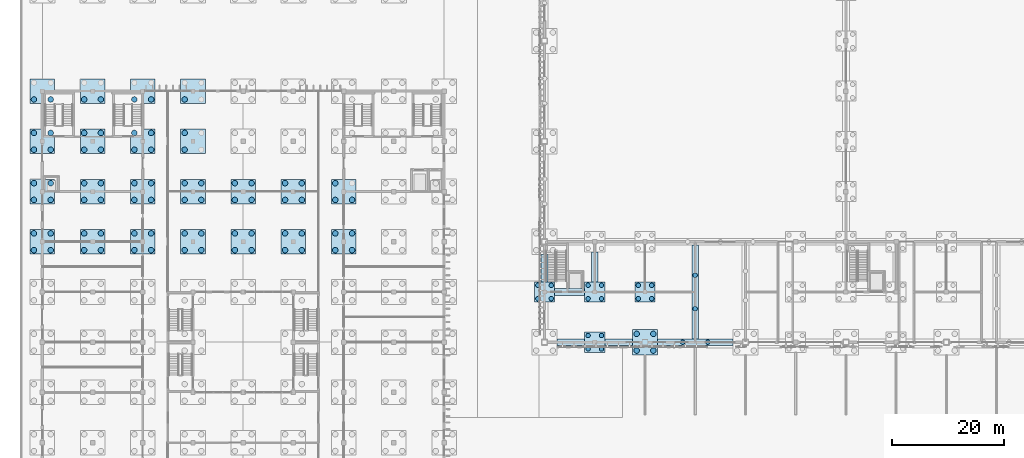
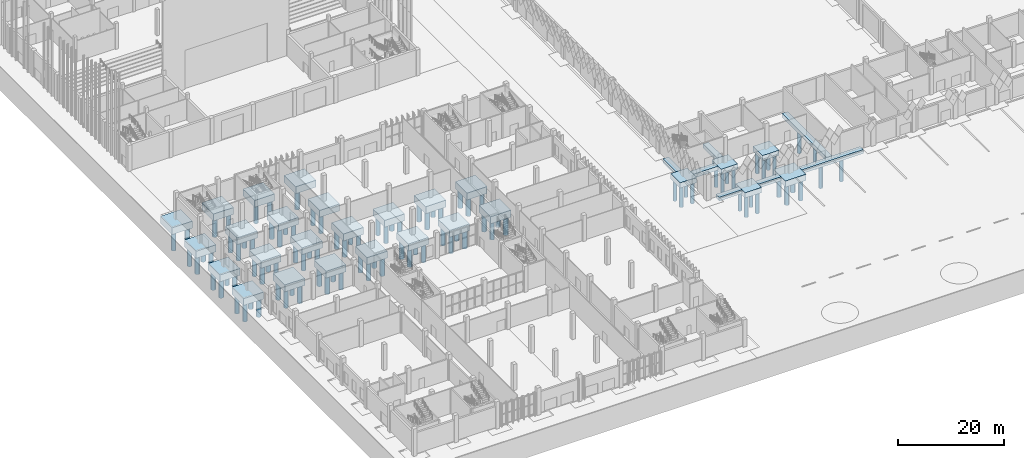
# One storey, part 3 of 198: 100 piles, 34 footings.
"""IFC4 building model written with IfcOpenShell, lengths in metres."""

from ifc_helpers import new_model, si_unit, direction, frame, origin, origin_2d, place, context, subcontext, project, spatial, polyline, circle, outline, extrude, material, layer, layer_set, material_profile, profile_set, type_object, element, save


model = new_model("IFC4")

# Units and contexts
model_context = context("Model", 3, precision=1e-05, world=origin(), true_north=direction((0.0, 1.0)))
body_context = subcontext(model_context, "Body", "Model", "MODEL_VIEW")
ifc_project = project(units=[si_unit("LENGTHUNIT", "METRE"), si_unit("AREAUNIT", "SQUARE_METRE"), si_unit("VOLUMEUNIT", "CUBIC_METRE"), si_unit("PLANEANGLEUNIT", "RADIAN"), si_unit("MASSUNIT", "GRAM", prefix="KILO")], contexts=[model_context])

# Site, building, storey
site_placement = place(None, origin())
site = spatial("IfcSite", under=ifc_project, at=site_placement, CompositionType="ELEMENT")
building_placement = place(site_placement, origin())
building = spatial("IfcBuilding", under=site, at=building_placement, Name="Opaline Strait Convention Centre", CompositionType="ELEMENT")
storey_placement = place(building_placement, origin())
storey = spatial("IfcBuildingStorey", under=building, at=storey_placement, Name="L00", CompositionType="ELEMENT", Elevation=0.0)

# Piles
ifc_material_1 = material(Name="Concrete C35", Category="concrete")
ifc_material_profile_1 = material_profile(ifc_material_1, circle(Radius=0.5, at=origin_2d()), Name="D1000")
ifc_profile_set_1 = profile_set([ifc_material_profile_1], Name="Concrete C35")
pile_type_1 = type_object("IfcPileType", Name="Bored pile D1000 C35", PredefinedType="BORED", material=ifc_profile_set_1)
for number, where, z_axis, x_axis, name in (
    (1, (115.5, 52.5, -1.300048828125), (0.0, 0.0, -1.0), (1.0, 0.0, 0.0), "Bored pile of cap 117/54"),
    (2, (115.5, 55.5, -1.300048828125), (0.0, 0.0, -1.0), (1.0, 0.0, 0.0), "Bored pile of cap 117/54"),
    (3, (118.5, 52.5, -1.300048828125), (0.0, 0.0, -1.0), (1.0, 0.0, 0.0), "Bored pile of cap 117/54"),
    (4, (118.5, 55.5, -1.300048828125), (0.0, 0.0, -1.0), (1.0, 0.0, 0.0), "Bored pile of cap 117/54"),
):
    element("IfcPile", number, at=place(storey_placement, frame(where, z_axis=z_axis, x_axis=x_axis)), inside=storey, type_object=pile_type_1, Name=name, PredefinedType="BORED", context=body_context, shape_type="SweptSolid", body=[
        extrude(circle(Radius=0.5, at=origin_2d()), origin(), (0.0, 0.0, 1.0), 4.699951171875),
    ])
ifc_material_profile_2 = material_profile(ifc_material_1, circle(Radius=0.5, at=origin_2d()), Name="D1000")
ifc_profile_set_2 = profile_set([ifc_material_profile_2], Name="Concrete C35")
pile_type_2 = type_object("IfcPileType", Name="Bored pile D1000 L4.2 C35", PredefinedType="BORED", material=ifc_profile_set_2)
for number, where, z_axis, x_axis, name in (
    (5, (7.5, 70.5, -1.800048828125), (0.0, 0.0, -1.0), (1.0, 0.0, 0.0), "RPL1 pile 1 of cap at 9/72"),
    (6, (7.5, 73.5, -1.800048828125), (0.0, 0.0, -1.0), (1.0, 0.0, 0.0), "RPL1 pile 2 of cap at 9/72"),
    (7, (10.5, 70.5, -1.800048828125), (0.0, 0.0, -1.0), (1.0, 0.0, 0.0), "RPL1 pile 3 of cap at 9/72"),
    (8, (10.5, 73.5, -1.800048828125), (0.0, 0.0, -1.0), (1.0, 0.0, 0.0), "RPL1 pile 4 of cap at 9/72"),
    (9, (7.5, 79.5, -1.800048828125), (0.0, 0.0, -1.0), (1.0, 0.0, 0.0), "RPL1 pile 1 of cap at 9/81"),
    (10, (7.5, 82.5, -1.800048828125), (0.0, 0.0, -1.0), (1.0, 0.0, 0.0), "RPL1 pile 2 of cap at 9/81"),
    (11, (10.5, 79.5, -1.800048828125), (0.0, 0.0, -1.0), (1.0, 0.0, 0.0), "RPL1 pile 3 of cap at 9/81"),
    (12, (10.5, 82.5, -1.800048828125), (0.0, 0.0, -1.0), (1.0, 0.0, 0.0), "RPL1 pile 4 of cap at 9/81"),
    (13, (7.5, 88.5, -1.800048828125), (0.0, 0.0, -1.0), (1.0, 0.0, 0.0), "RPL1 pile 1 of cap at 9/90"),
    (14, (7.5, 91.5, -1.800048828125), (0.0, 0.0, -1.0), (1.0, 0.0, 0.0), "RPL1 pile 2 of cap at 9/90"),
    (15, (10.5, 88.5, -1.800048828125), (0.0, 0.0, -1.0), (1.0, 0.0, 0.0), "RPL1 pile 3 of cap at 9/90"),
    (16, (10.5, 91.5, -1.800048828125), (0.0, 0.0, -1.0), (1.0, 0.0, 0.0), "RPL1 pile 4 of cap at 9/90"),
    (17, (7.5, 97.5, -1.800048828125), (0.0, 0.0, -1.0), (1.0, 0.0, 0.0), "RPL1 pile 1 of cap at 9/99"),
    (18, (10.5, 97.5, -1.800048828125), (0.0, 0.0, -1.0), (1.0, 0.0, 0.0), "RPL1 pile 3 of cap at 9/99"),
    (19, (16.5, 70.5, -1.800048828125), (0.0, 0.0, -1.0), (1.0, 0.0, 0.0), "RPL1 pile 1 of cap at 18/72"),
    (20, (16.5, 73.5, -1.800048828125), (0.0, 0.0, -1.0), (1.0, 0.0, 0.0), "RPL1 pile 2 of cap at 18/72"),
    (21, (19.5, 70.5, -1.800048828125), (0.0, 0.0, -1.0), (1.0, 0.0, 0.0), "RPL1 pile 3 of cap at 18/72"),
    (22, (19.5, 73.5, -1.800048828125), (0.0, 0.0, -1.0), (1.0, 0.0, 0.0), "RPL1 pile 4 of cap at 18/72"),
    (23, (16.5, 79.5, -1.800048828125), (0.0, 0.0, -1.0), (1.0, 0.0, 0.0), "RPL1 pile 1 of cap at 18/81"),
    (24, (16.5, 82.5, -1.800048828125), (0.0, 0.0, -1.0), (1.0, 0.0, 0.0), "RPL1 pile 2 of cap at 18/81"),
    (25, (19.5, 79.5, -1.800048828125), (0.0, 0.0, -1.0), (1.0, 0.0, 0.0), "RPL1 pile 3 of cap at 18/81"),
    (26, (19.5, 82.5, -1.800048828125), (0.0, 0.0, -1.0), (1.0, 0.0, 0.0), "RPL1 pile 4 of cap at 18/81"),
    (27, (16.5, 88.5, -1.800048828125), (0.0, 0.0, -1.0), (1.0, 0.0, 0.0), "RPL1 pile 1 of cap at 18/90"),
    (28, (16.5, 91.5, -1.800048828125), (0.0, 0.0, -1.0), (1.0, 0.0, 0.0), "RPL1 pile 2 of cap at 18/90"),
    (29, (19.5, 88.5, -1.800048828125), (0.0, 0.0, -1.0), (1.0, 0.0, 0.0), "RPL1 pile 3 of cap at 18/90"),
    (30, (19.5, 91.5, -1.800048828125), (0.0, 0.0, -1.0), (1.0, 0.0, 0.0), "RPL1 pile 4 of cap at 18/90"),
    (31, (16.5, 97.5, -1.800048828125), (0.0, 0.0, -1.0), (1.0, 0.0, 0.0), "RPL1 pile 1 of cap at 18/99"),
    (32, (19.5, 97.5, -1.800048828125), (0.0, 0.0, -1.0), (1.0, 0.0, 0.0), "RPL1 pile 3 of cap at 18/99"),
    (33, (25.5, 70.5, -1.800048828125), (0.0, 0.0, -1.0), (1.0, 0.0, 0.0), "RPL1 pile 1 of cap at 27/72"),
    (34, (25.5, 73.5, -1.800048828125), (0.0, 0.0, -1.0), (1.0, 0.0, 0.0), "RPL1 pile 2 of cap at 27/72"),
    (35, (28.5, 70.5, -1.800048828125), (0.0, 0.0, -1.0), (1.0, 0.0, 0.0), "RPL1 pile 3 of cap at 27/72"),
    (36, (28.5, 73.5, -1.800048828125), (0.0, 0.0, -1.0), (1.0, 0.0, 0.0), "RPL1 pile 4 of cap at 27/72"),
    (37, (25.5, 79.5, -1.800048828125), (0.0, 0.0, -1.0), (1.0, 0.0, 0.0), "RPL1 pile 1 of cap at 27/81"),
    (38, (25.5, 82.5, -1.800048828125), (0.0, 0.0, -1.0), (1.0, 0.0, 0.0), "RPL1 pile 2 of cap at 27/81"),
    (39, (28.5, 79.5, -1.800048828125), (0.0, 0.0, -1.0), (1.0, 0.0, 0.0), "RPL1 pile 3 of cap at 27/81"),
    (40, (28.5, 82.5, -1.800048828125), (0.0, 0.0, -1.0), (1.0, 0.0, 0.0), "RPL1 pile 4 of cap at 27/81"),
    (41, (25.5, 88.5, -1.800048828125), (0.0, 0.0, -1.0), (1.0, 0.0, 0.0), "RPL1 pile 1 of cap at 27/90"),
    (42, (25.5, 91.5, -1.800048828125), (0.0, 0.0, -1.0), (1.0, 0.0, 0.0), "RPL1 pile 2 of cap at 27/90"),
    (43, (28.5, 88.5, -1.800048828125), (0.0, 0.0, -1.0), (1.0, 0.0, 0.0), "RPL1 pile 3 of cap at 27/90"),
    (44, (28.5, 91.5, -1.800048828125), (0.0, 0.0, -1.0), (1.0, 0.0, 0.0), "RPL1 pile 4 of cap at 27/90"),
    (45, (25.5, 97.5, -1.800048828125), (0.0, 0.0, -1.0), (1.0, 0.0, 0.0), "RPL1 pile 1 of cap at 27/99"),
    (46, (28.5, 97.5, -1.800048828125), (0.0, 0.0, -1.0), (1.0, 0.0, 0.0), "RPL1 pile 3 of cap at 27/99"),
    (47, (34.5, 70.5, -1.800048828125), (0.0, 0.0, -1.0), (1.0, 0.0, 0.0), "RPL1 pile 1 of cap at 36/72"),
    (48, (34.5, 73.5, -1.800048828125), (0.0, 0.0, -1.0), (1.0, 0.0, 0.0), "RPL1 pile 2 of cap at 36/72"),
    (49, (37.5, 70.5, -1.800048828125), (0.0, 0.0, -1.0), (1.0, 0.0, 0.0), "RPL1 pile 3 of cap at 36/72"),
    (50, (37.5, 73.5, -1.800048828125), (0.0, 0.0, -1.0), (1.0, 0.0, 0.0), "RPL1 pile 4 of cap at 36/72"),
    (51, (34.5, 79.5, -1.800048828125), (0.0, 0.0, -1.0), (1.0, 0.0, 0.0), "RPL1 pile 1 of cap at 36/81"),
    (52, (34.5, 82.5, -1.800048828125), (0.0, 0.0, -1.0), (1.0, 0.0, 0.0), "RPL1 pile 2 of cap at 36/81"),
    (53, (37.5, 79.5, -1.800048828125), (0.0, 0.0, -1.0), (1.0, 0.0, 0.0), "RPL1 pile 3 of cap at 36/81"),
    (54, (37.5, 82.5, -1.800048828125), (0.0, 0.0, -1.0), (1.0, 0.0, 0.0), "RPL1 pile 4 of cap at 36/81"),
    (55, (34.5, 88.5, -1.800048828125), (0.0, 0.0, -1.0), (1.0, 0.0, 0.0), "RPL1 pile 1 of cap at 36/90"),
    (56, (34.5, 91.5, -1.800048828125), (0.0, 0.0, -1.0), (1.0, 0.0, 0.0), "RPL1 pile 2 of cap at 36/90"),
    (57, (34.5, 97.5, -1.800048828125), (0.0, 0.0, -1.0), (1.0, 0.0, 0.0), "RPL1 pile 1 of cap at 36/99"),
    (58, (43.5, 70.5, -1.800048828125), (0.0, 0.0, -1.0), (1.0, 0.0, 0.0), "RPL1 pile 1 of cap at 45/72"),
    (59, (43.5, 73.5, -1.800048828125), (0.0, 0.0, -1.0), (1.0, 0.0, 0.0), "RPL1 pile 2 of cap at 45/72"),
    (60, (46.5, 70.5, -1.800048828125), (0.0, 0.0, -1.0), (1.0, 0.0, 0.0), "RPL1 pile 3 of cap at 45/72"),
    (61, (46.5, 73.5, -1.800048828125), (0.0, 0.0, -1.0), (1.0, 0.0, 0.0), "RPL1 pile 4 of cap at 45/72"),
    (62, (43.5, 79.5, -1.800048828125), (0.0, 0.0, -1.0), (1.0, 0.0, 0.0), "RPL1 pile 1 of cap at 45/81"),
    (63, (43.5, 82.5, -1.800048828125), (0.0, 0.0, -1.0), (1.0, 0.0, 0.0), "RPL1 pile 2 of cap at 45/81"),
    (64, (46.5, 79.5, -1.800048828125), (0.0, 0.0, -1.0), (1.0, 0.0, 0.0), "RPL1 pile 3 of cap at 45/81"),
    (65, (46.5, 82.5, -1.800048828125), (0.0, 0.0, -1.0), (1.0, 0.0, 0.0), "RPL1 pile 4 of cap at 45/81"),
    (66, (52.5, 70.5, -1.800048828125), (0.0, 0.0, -1.0), (1.0, 0.0, 0.0), "RPL1 pile 1 of cap at 54/72"),
    (67, (52.5, 73.5, -1.800048828125), (0.0, 0.0, -1.0), (1.0, 0.0, 0.0), "RPL1 pile 2 of cap at 54/72"),
    (68, (55.5, 70.5, -1.800048828125), (0.0, 0.0, -1.0), (1.0, 0.0, 0.0), "RPL1 pile 3 of cap at 54/72"),
    (69, (55.5, 73.5, -1.800048828125), (0.0, 0.0, -1.0), (1.0, 0.0, 0.0), "RPL1 pile 4 of cap at 54/72"),
    (70, (52.5, 79.5, -1.800048828125), (0.0, 0.0, -1.0), (1.0, 0.0, 0.0), "RPL1 pile 1 of cap at 54/81"),
    (71, (52.5, 82.5, -1.800048828125), (0.0, 0.0, -1.0), (1.0, 0.0, 0.0), "RPL1 pile 2 of cap at 54/81"),
    (72, (55.5, 79.5, -1.800048828125), (0.0, 0.0, -1.0), (1.0, 0.0, 0.0), "RPL1 pile 3 of cap at 54/81"),
    (73, (55.5, 82.5, -1.800048828125), (0.0, 0.0, -1.0), (1.0, 0.0, 0.0), "RPL1 pile 4 of cap at 54/81"),
    (74, (61.5, 70.5, -1.800048828125), (0.0, 0.0, -1.0), (1.0, 0.0, 0.0), "RPL1 pile 1 of cap at 63/72"),
    (75, (61.5, 73.5, -1.800048828125), (0.0, 0.0, -1.0), (1.0, 0.0, 0.0), "RPL1 pile 2 of cap at 63/72"),
    (76, (64.5, 70.5, -1.800048828125), (0.0, 0.0, -1.0), (1.0, 0.0, 0.0), "RPL1 pile 3 of cap at 63/72"),
    (77, (64.5, 73.5, -1.800048828125), (0.0, 0.0, -1.0), (1.0, 0.0, 0.0), "RPL1 pile 4 of cap at 63/72"),
    (78, (61.5, 79.5, -1.800048828125), (0.0, 0.0, -1.0), (1.0, 0.0, 0.0), "RPL1 pile 1 of cap at 63/81"),
    (79, (61.5, 82.5, -1.800048828125), (0.0, 0.0, -1.0), (1.0, 0.0, 0.0), "RPL1 pile 2 of cap at 63/81"),
    (80, (64.5, 79.5, -1.800048828125), (0.0, 0.0, -1.0), (1.0, 0.0, 0.0), "RPL1 pile 3 of cap at 63/81"),
):
    element("IfcPile", number, at=place(storey_placement, frame(where, z_axis=z_axis, x_axis=x_axis)), inside=storey, type_object=pile_type_2, Name=name, PredefinedType="BORED", context=body_context, shape_type="SweptSolid", body=[
        extrude(circle(Radius=0.5, at=origin_2d()), origin(), (0.0, 0.0, 1.0), 4.199951171875),
    ])
ifc_material_profile_3 = material_profile(ifc_material_1, circle(Radius=0.39990234375, at=origin_2d()), Name="D800")
ifc_profile_set_3 = profile_set([ifc_material_profile_3], Name="Concrete C35")
pile_type_3 = type_object("IfcPileType", Name="Bored pile D800 C35", PredefinedType="BORED", material=ifc_profile_set_3)
for number, where, z_axis, x_axis, name in (
    (81, (97.800048828125, 61.800048828125, -1.10009765625), (0.0, 0.0, -1.0), (1.0, 0.0, 0.0), "Bored pile of cap 99/63"),
    (82, (97.800048828125, 64.199951171875, -1.10009765625), (0.0, 0.0, -1.0), (1.0, 0.0, 0.0), "Bored pile of cap 99/63"),
    (83, (100.199951171875, 61.800048828125, -1.10009765625), (0.0, 0.0, -1.0), (1.0, 0.0, 0.0), "Bored pile of cap 99/63"),
    (84, (100.199951171875, 64.199951171875, -1.10009765625), (0.0, 0.0, -1.0), (1.0, 0.0, 0.0), "Bored pile of cap 99/63"),
    (85, (106.800048828125, 52.800048828125, -1.10009765625), (0.0, 0.0, -1.0), (1.0, 0.0, 0.0), "Bored pile of cap 108/54"),
    (86, (106.800048828125, 55.199951171875, -1.10009765625), (0.0, 0.0, -1.0), (1.0, 0.0, 0.0), "Bored pile of cap 108/54"),
    (87, (109.199951171875, 52.800048828125, -1.10009765625), (0.0, 0.0, -1.0), (1.0, 0.0, 0.0), "Bored pile of cap 108/54"),
    (88, (109.199951171875, 55.199951171875, -1.10009765625), (0.0, 0.0, -1.0), (1.0, 0.0, 0.0), "Bored pile of cap 108/54"),
    (89, (106.800048828125, 61.800048828125, -1.10009765625), (0.0, 0.0, -1.0), (1.0, 0.0, 0.0), "Bored pile of cap 108/63"),
    (90, (106.800048828125, 64.199951171875, -1.10009765625), (0.0, 0.0, -1.0), (1.0, 0.0, 0.0), "Bored pile of cap 108/63"),
    (91, (109.199951171875, 61.800048828125, -1.10009765625), (0.0, 0.0, -1.0), (1.0, 0.0, 0.0), "Bored pile of cap 108/63"),
    (92, (109.199951171875, 64.199951171875, -1.10009765625), (0.0, 0.0, -1.0), (1.0, 0.0, 0.0), "Bored pile of cap 108/63"),
    (93, (115.800048828125, 61.800048828125, -1.10009765625), (0.0, 0.0, -1.0), (1.0, 0.0, 0.0), "Bored pile of cap 117/63"),
    (94, (115.800048828125, 64.199951171875, -1.10009765625), (0.0, 0.0, -1.0), (1.0, 0.0, 0.0), "Bored pile of cap 117/63"),
    (95, (118.199951171875, 61.800048828125, -1.10009765625), (0.0, 0.0, -1.0), (1.0, 0.0, 0.0), "Bored pile of cap 117/63"),
    (96, (118.199951171875, 64.199951171875, -1.10009765625), (0.0, 0.0, -1.0), (1.0, 0.0, 0.0), "Bored pile of cap 117/63"),
):
    element("IfcPile", number, at=place(storey_placement, frame(where, z_axis=z_axis, x_axis=x_axis)), inside=storey, type_object=pile_type_3, Name=name, PredefinedType="BORED", context=body_context, shape_type="SweptSolid", body=[
        extrude(circle(Radius=0.39990234375, at=origin_2d()), origin(), (0.0, 0.0, 1.0), 4.89990234375),
    ])
for number, where, z_axis, x_axis, name in (
    (97, (123.75, 54.0, -0.800048828125), (0.0, 0.0, -1.0), (1.0, 0.0, 0.0), "Bored pile under pile cap beam 3"),
    (98, (128.25, 54.0, -0.800048828125), (0.0, 0.0, -1.0), (1.0, 0.0, 0.0), "Bored pile under pile cap beam 3"),
    (99, (126.0, 60.0, -0.800048828125), (0.0, 0.0, -1.0), (1.0, 0.0, 0.0), "Bored pile under pile cap beam 71"),
    (100, (126.0, 66.0, -0.800048828125), (0.0, 0.0, -1.0), (1.0, 0.0, 0.0), "Bored pile under pile cap beam 71"),
):
    element("IfcPile", number, at=place(storey_placement, frame(where, z_axis=z_axis, x_axis=x_axis)), inside=storey, type_object=pile_type_3, Name=name, PredefinedType="BORED", context=body_context, shape_type="SweptSolid", body=[
        extrude(circle(Radius=0.39990234375, at=origin_2d()), origin(), (0.0, 0.0, 1.0), 5.199951171875),
    ])

# Footings
footing_type_1 = type_object("IfcFootingType", Name="Ground beam 1200 x 900 C35", PredefinedType="FOOTING_BEAM", material=ifc_material_1)
footing_1_placement = place(storey_placement, frame((0.0, 0.0, -0.89990234375)))
element("IfcFooting", 101, at=footing_1_placement, inside=storey, type_object=footing_type_1, Name="Ground beam 1 on the y = 54 line", PredefinedType="FOOTING_BEAM", context=body_context, shape_type="SweptSolid", body=[
    extrude(outline(polyline([(101.25, 53.39990234375), (106.199951171875, 53.39990234375), (106.199951171875, 54.60009765625), (101.25, 54.60009765625), (101.25, 53.39990234375)])), origin(), (0.0, 0.0, 1.0), 0.89990234375),
])
footing_2_placement = place(storey_placement, frame((0.0, 0.0, -0.89990234375)))
element("IfcFooting", 102, at=footing_2_placement, inside=storey, type_object=footing_type_1, Name="Ground beam 2 on the y = 54 line", PredefinedType="FOOTING_BEAM", context=body_context, shape_type="SweptSolid", body=[
    extrude(outline(polyline([(109.800048828125, 53.39990234375), (114.75, 53.39990234375), (114.75, 54.60009765625), (109.800048828125, 54.60009765625), (109.800048828125, 53.39990234375)])), origin(), (0.0, 0.0, 1.0), 0.89990234375),
])
footing_3_placement = place(storey_placement, frame((0.0, 0.0, -0.89990234375)))
element("IfcFooting", 103, at=footing_3_placement, inside=storey, type_object=footing_type_1, Name="Ground beam 26 on the x = 99 line", PredefinedType="FOOTING_BEAM", context=body_context, shape_type="SweptSolid", body=[
    extrude(outline(polyline([(98.39990234375, 64.800048828125), (99.60009765625, 64.800048828125), (99.60009765625, 69.75), (98.39990234375, 69.75), (98.39990234375, 64.800048828125)])), origin(), (0.0, 0.0, 1.0), 0.89990234375),
])
footing_4_placement = place(storey_placement, frame((0.0, 0.0, -0.89990234375)))
element("IfcFooting", 104, at=footing_4_placement, inside=storey, type_object=footing_type_1, Name="Ground beam 77 on the y = 63 line", PredefinedType="FOOTING_BEAM", context=body_context, shape_type="SweptSolid", body=[
    extrude(outline(polyline([(100.800048828125, 62.39990234375), (106.199951171875, 62.39990234375), (106.199951171875, 63.60009765625), (100.800048828125, 63.60009765625), (100.800048828125, 62.39990234375)])), origin(), (0.0, 0.0, 1.0), 0.89990234375),
])
footing_5_placement = place(storey_placement, frame((0.0, 0.0, -0.89990234375)))
element("IfcFooting", 105, at=footing_5_placement, inside=storey, type_object=footing_type_1, Name="Ground beam 78 on the x = 108 line", PredefinedType="FOOTING_BEAM", context=body_context, shape_type="SweptSolid", body=[
    extrude(outline(polyline([(107.39990234375, 64.800048828125), (108.60009765625, 64.800048828125), (108.60009765625, 70.199951171875), (107.39990234375, 70.199951171875), (107.39990234375, 64.800048828125)])), origin(), (0.0, 0.0, 1.0), 0.89990234375),
])
ifc_material_2 = material(Name="Concrete C40", Category="concrete")
ifc_layer_1 = layer(ifc_material_2, 1.199951171875)
ifc_layer_set_1 = layer_set([ifc_layer_1], Name="Concrete C40")
footing_type_2 = type_object("IfcFootingType", Name="Pile cap 3600 x 3600 x 1200 C40", PredefinedType="PILE_CAP", material=ifc_layer_set_1)
footing_6_placement = place(storey_placement, frame((0.0, 0.0, -1.199951171875)))
element("IfcFooting", 106, at=footing_6_placement, inside=storey, type_object=footing_type_2, Name="Column pile cap at 99/63", PredefinedType="PILE_CAP", context=body_context, shape_type="SweptSolid", body=[
    extrude(outline(polyline([(97.199951171875, 61.199951171875), (100.800048828125, 61.199951171875), (100.800048828125, 64.800048828125), (97.199951171875, 64.800048828125), (97.199951171875, 61.199951171875)])), origin(), (0.0, 0.0, 1.0), 1.199951171875),
])
footing_7_placement = place(storey_placement, frame((0.0, 0.0, -1.199951171875)))
element("IfcFooting", 107, at=footing_7_placement, inside=storey, type_object=footing_type_2, Name="Column pile cap at 108/54", PredefinedType="PILE_CAP", context=body_context, shape_type="SweptSolid", body=[
    extrude(outline(polyline([(106.199951171875, 52.199951171875), (109.800048828125, 52.199951171875), (109.800048828125, 55.800048828125), (106.199951171875, 55.800048828125), (106.199951171875, 52.199951171875)])), origin(), (0.0, 0.0, 1.0), 1.199951171875),
])
footing_8_placement = place(storey_placement, frame((0.0, 0.0, -1.199951171875)))
element("IfcFooting", 108, at=footing_8_placement, inside=storey, type_object=footing_type_2, Name="Column pile cap at 108/63", PredefinedType="PILE_CAP", context=body_context, shape_type="SweptSolid", body=[
    extrude(outline(polyline([(106.199951171875, 61.199951171875), (109.800048828125, 61.199951171875), (109.800048828125, 64.800048828125), (106.199951171875, 64.800048828125), (106.199951171875, 61.199951171875)])), origin(), (0.0, 0.0, 1.0), 1.199951171875),
])
footing_9_placement = place(storey_placement, frame((0.0, 0.0, -1.199951171875)))
element("IfcFooting", 109, at=footing_9_placement, inside=storey, type_object=footing_type_2, Name="Column pile cap at 117/63", PredefinedType="PILE_CAP", context=body_context, shape_type="SweptSolid", body=[
    extrude(outline(polyline([(115.199951171875, 61.199951171875), (118.800048828125, 61.199951171875), (118.800048828125, 64.800048828125), (115.199951171875, 64.800048828125), (115.199951171875, 61.199951171875)])), origin(), (0.0, 0.0, 1.0), 1.199951171875),
])
ifc_layer_2 = layer(ifc_material_1, 1.60009765625)
ifc_layer_set_2 = layer_set([ifc_layer_2], Name="Concrete C35")
footing_type_3 = type_object("IfcFootingType", Name="Pile cap 4400 x 4400 x 1600 C35", PredefinedType="PILE_CAP", material=ifc_layer_set_2)
footing_10_placement = place(storey_placement, frame((0.0, 0.0, -1.89990234375)))
element("IfcFooting", 110, at=footing_10_placement, inside=storey, type_object=footing_type_3, Name="RPC1 pile cap at 9/72", PredefinedType="PILE_CAP", context=body_context, shape_type="SweptSolid", body=[
    extrude(outline(polyline([(6.800048828125, 69.800048828125), (11.199951171875, 69.800048828125), (11.199951171875, 74.199951171875), (6.800048828125, 74.199951171875), (6.800048828125, 69.800048828125)])), origin(), (0.0, 0.0, 1.0), 1.599853515625),
])
footing_11_placement = place(storey_placement, frame((0.0, 0.0, -1.89990234375)))
element("IfcFooting", 111, at=footing_11_placement, inside=storey, type_object=footing_type_3, Name="RPC1 pile cap at 9/81", PredefinedType="PILE_CAP", context=body_context, shape_type="SweptSolid", body=[
    extrude(outline(polyline([(6.800048828125, 78.800048828125), (11.199951171875, 78.800048828125), (11.199951171875, 83.199951171875), (6.800048828125, 83.199951171875), (6.800048828125, 78.800048828125)])), origin(), (0.0, 0.0, 1.0), 1.599853515625),
])
footing_12_placement = place(storey_placement, frame((0.0, 0.0, -1.89990234375)))
element("IfcFooting", 112, at=footing_12_placement, inside=storey, type_object=footing_type_3, Name="RPC1 pile cap at 9/90", PredefinedType="PILE_CAP", context=body_context, shape_type="SweptSolid", body=[
    extrude(outline(polyline([(6.800048828125, 87.800048828125), (11.199951171875, 87.800048828125), (11.199951171875, 92.199951171875), (6.800048828125, 92.199951171875), (6.800048828125, 87.800048828125)])), origin(), (0.0, 0.0, 1.0), 1.599853515625),
])
footing_13_placement = place(storey_placement, frame((0.0, 0.0, -1.89990234375)))
element("IfcFooting", 113, at=footing_13_placement, inside=storey, type_object=footing_type_3, Name="RPC1 pile cap at 9/99", PredefinedType="PILE_CAP", context=body_context, shape_type="SweptSolid", body=[
    extrude(outline(polyline([(6.800048828125, 96.800048828125), (11.199951171875, 96.800048828125), (11.199951171875, 101.199951171875), (6.800048828125, 101.199951171875), (6.800048828125, 96.800048828125)])), origin(), (0.0, 0.0, 1.0), 1.599853515625),
])
footing_14_placement = place(storey_placement, frame((0.0, 0.0, -1.89990234375)))
element("IfcFooting", 114, at=footing_14_placement, inside=storey, type_object=footing_type_3, Name="RPC1 pile cap at 18/72", PredefinedType="PILE_CAP", context=body_context, shape_type="SweptSolid", body=[
    extrude(outline(polyline([(15.800048828125, 69.800048828125), (20.199951171875, 69.800048828125), (20.199951171875, 74.199951171875), (15.800048828125, 74.199951171875), (15.800048828125, 69.800048828125)])), origin(), (0.0, 0.0, 1.0), 1.599853515625),
])
footing_15_placement = place(storey_placement, frame((0.0, 0.0, -1.89990234375)))
element("IfcFooting", 115, at=footing_15_placement, inside=storey, type_object=footing_type_3, Name="RPC1 pile cap at 18/81", PredefinedType="PILE_CAP", context=body_context, shape_type="SweptSolid", body=[
    extrude(outline(polyline([(15.800048828125, 78.800048828125), (20.199951171875, 78.800048828125), (20.199951171875, 83.199951171875), (15.800048828125, 83.199951171875), (15.800048828125, 78.800048828125)])), origin(), (0.0, 0.0, 1.0), 1.599853515625),
])
footing_16_placement = place(storey_placement, frame((0.0, 0.0, -1.89990234375)))
element("IfcFooting", 116, at=footing_16_placement, inside=storey, type_object=footing_type_3, Name="RPC1 pile cap at 18/90", PredefinedType="PILE_CAP", context=body_context, shape_type="SweptSolid", body=[
    extrude(outline(polyline([(15.800048828125, 87.800048828125), (20.199951171875, 87.800048828125), (20.199951171875, 92.199951171875), (15.800048828125, 92.199951171875), (15.800048828125, 87.800048828125)])), origin(), (0.0, 0.0, 1.0), 1.599853515625),
])
footing_17_placement = place(storey_placement, frame((0.0, 0.0, -1.89990234375)))
element("IfcFooting", 117, at=footing_17_placement, inside=storey, type_object=footing_type_3, Name="RPC1 pile cap at 18/99", PredefinedType="PILE_CAP", context=body_context, shape_type="SweptSolid", body=[
    extrude(outline(polyline([(15.800048828125, 96.800048828125), (20.199951171875, 96.800048828125), (20.199951171875, 101.199951171875), (15.800048828125, 101.199951171875), (15.800048828125, 96.800048828125)])), origin(), (0.0, 0.0, 1.0), 1.599853515625),
])
footing_18_placement = place(storey_placement, frame((0.0, 0.0, -1.89990234375)))
element("IfcFooting", 118, at=footing_18_placement, inside=storey, type_object=footing_type_3, Name="RPC1 pile cap at 27/72", PredefinedType="PILE_CAP", context=body_context, shape_type="SweptSolid", body=[
    extrude(outline(polyline([(24.800048828125, 69.800048828125), (29.199951171875, 69.800048828125), (29.199951171875, 74.199951171875), (24.800048828125, 74.199951171875), (24.800048828125, 69.800048828125)])), origin(), (0.0, 0.0, 1.0), 1.599853515625),
])
footing_19_placement = place(storey_placement, frame((0.0, 0.0, -1.89990234375)))
element("IfcFooting", 119, at=footing_19_placement, inside=storey, type_object=footing_type_3, Name="RPC1 pile cap at 27/81", PredefinedType="PILE_CAP", context=body_context, shape_type="SweptSolid", body=[
    extrude(outline(polyline([(24.800048828125, 78.800048828125), (29.199951171875, 78.800048828125), (29.199951171875, 83.199951171875), (24.800048828125, 83.199951171875), (24.800048828125, 78.800048828125)])), origin(), (0.0, 0.0, 1.0), 1.599853515625),
])
footing_20_placement = place(storey_placement, frame((0.0, 0.0, -1.89990234375)))
element("IfcFooting", 120, at=footing_20_placement, inside=storey, type_object=footing_type_3, Name="RPC1 pile cap at 27/90", PredefinedType="PILE_CAP", context=body_context, shape_type="SweptSolid", body=[
    extrude(outline(polyline([(24.800048828125, 87.800048828125), (29.199951171875, 87.800048828125), (29.199951171875, 92.199951171875), (24.800048828125, 92.199951171875), (24.800048828125, 87.800048828125)])), origin(), (0.0, 0.0, 1.0), 1.599853515625),
])
footing_21_placement = place(storey_placement, frame((0.0, 0.0, -1.89990234375)))
element("IfcFooting", 121, at=footing_21_placement, inside=storey, type_object=footing_type_3, Name="RPC1 pile cap at 27/99", PredefinedType="PILE_CAP", context=body_context, shape_type="SweptSolid", body=[
    extrude(outline(polyline([(24.800048828125, 96.800048828125), (29.199951171875, 96.800048828125), (29.199951171875, 101.199951171875), (24.800048828125, 101.199951171875), (24.800048828125, 96.800048828125)])), origin(), (0.0, 0.0, 1.0), 1.599853515625),
])
footing_22_placement = place(storey_placement, frame((0.0, 0.0, -1.89990234375)))
element("IfcFooting", 122, at=footing_22_placement, inside=storey, type_object=footing_type_3, Name="RPC1 pile cap at 36/72", PredefinedType="PILE_CAP", context=body_context, shape_type="SweptSolid", body=[
    extrude(outline(polyline([(33.800048828125, 69.800048828125), (38.199951171875, 69.800048828125), (38.199951171875, 74.199951171875), (33.800048828125, 74.199951171875), (33.800048828125, 69.800048828125)])), origin(), (0.0, 0.0, 1.0), 1.599853515625),
])
footing_23_placement = place(storey_placement, frame((0.0, 0.0, -1.89990234375)))
element("IfcFooting", 123, at=footing_23_placement, inside=storey, type_object=footing_type_3, Name="RPC1 pile cap at 36/81", PredefinedType="PILE_CAP", context=body_context, shape_type="SweptSolid", body=[
    extrude(outline(polyline([(33.800048828125, 78.800048828125), (38.199951171875, 78.800048828125), (38.199951171875, 83.199951171875), (33.800048828125, 83.199951171875), (33.800048828125, 78.800048828125)])), origin(), (0.0, 0.0, 1.0), 1.599853515625),
])
footing_24_placement = place(storey_placement, frame((0.0, 0.0, -1.89990234375)))
element("IfcFooting", 124, at=footing_24_placement, inside=storey, type_object=footing_type_3, Name="RPC1 pile cap at 36/90", PredefinedType="PILE_CAP", context=body_context, shape_type="SweptSolid", body=[
    extrude(outline(polyline([(33.800048828125, 87.800048828125), (38.199951171875, 87.800048828125), (38.199951171875, 92.199951171875), (33.800048828125, 92.199951171875), (33.800048828125, 87.800048828125)])), origin(), (0.0, 0.0, 1.0), 1.599853515625),
])
footing_25_placement = place(storey_placement, frame((0.0, 0.0, -1.89990234375)))
element("IfcFooting", 125, at=footing_25_placement, inside=storey, type_object=footing_type_3, Name="RPC1 pile cap at 36/99", PredefinedType="PILE_CAP", context=body_context, shape_type="SweptSolid", body=[
    extrude(outline(polyline([(33.800048828125, 96.800048828125), (38.199951171875, 96.800048828125), (38.199951171875, 101.199951171875), (33.800048828125, 101.199951171875), (33.800048828125, 96.800048828125)])), origin(), (0.0, 0.0, 1.0), 1.599853515625),
])
footing_26_placement = place(storey_placement, frame((0.0, 0.0, -1.89990234375)))
element("IfcFooting", 126, at=footing_26_placement, inside=storey, type_object=footing_type_3, Name="RPC1 pile cap at 45/72", PredefinedType="PILE_CAP", context=body_context, shape_type="SweptSolid", body=[
    extrude(outline(polyline([(42.800048828125, 69.800048828125), (47.199951171875, 69.800048828125), (47.199951171875, 74.199951171875), (42.800048828125, 74.199951171875), (42.800048828125, 69.800048828125)])), origin(), (0.0, 0.0, 1.0), 1.599853515625),
])
footing_27_placement = place(storey_placement, frame((0.0, 0.0, -1.89990234375)))
element("IfcFooting", 127, at=footing_27_placement, inside=storey, type_object=footing_type_3, Name="RPC1 pile cap at 45/81", PredefinedType="PILE_CAP", context=body_context, shape_type="SweptSolid", body=[
    extrude(outline(polyline([(42.800048828125, 78.800048828125), (47.199951171875, 78.800048828125), (47.199951171875, 83.199951171875), (42.800048828125, 83.199951171875), (42.800048828125, 78.800048828125)])), origin(), (0.0, 0.0, 1.0), 1.599853515625),
])
footing_28_placement = place(storey_placement, frame((0.0, 0.0, -1.89990234375)))
element("IfcFooting", 128, at=footing_28_placement, inside=storey, type_object=footing_type_3, Name="RPC1 pile cap at 54/72", PredefinedType="PILE_CAP", context=body_context, shape_type="SweptSolid", body=[
    extrude(outline(polyline([(51.800048828125, 69.800048828125), (56.199951171875, 69.800048828125), (56.199951171875, 74.199951171875), (51.800048828125, 74.199951171875), (51.800048828125, 69.800048828125)])), origin(), (0.0, 0.0, 1.0), 1.599853515625),
])
footing_29_placement = place(storey_placement, frame((0.0, 0.0, -1.89990234375)))
element("IfcFooting", 129, at=footing_29_placement, inside=storey, type_object=footing_type_3, Name="RPC1 pile cap at 54/81", PredefinedType="PILE_CAP", context=body_context, shape_type="SweptSolid", body=[
    extrude(outline(polyline([(51.800048828125, 78.800048828125), (56.199951171875, 78.800048828125), (56.199951171875, 83.199951171875), (51.800048828125, 83.199951171875), (51.800048828125, 78.800048828125)])), origin(), (0.0, 0.0, 1.0), 1.599853515625),
])
footing_30_placement = place(storey_placement, frame((0.0, 0.0, -1.89990234375)))
element("IfcFooting", 130, at=footing_30_placement, inside=storey, type_object=footing_type_3, Name="RPC1 pile cap at 63/72", PredefinedType="PILE_CAP", context=body_context, shape_type="SweptSolid", body=[
    extrude(outline(polyline([(60.800048828125, 69.800048828125), (65.199951171875, 69.800048828125), (65.199951171875, 74.199951171875), (60.800048828125, 74.199951171875), (60.800048828125, 69.800048828125)])), origin(), (0.0, 0.0, 1.0), 1.599853515625),
])
footing_31_placement = place(storey_placement, frame((0.0, 0.0, -1.89990234375)))
element("IfcFooting", 131, at=footing_31_placement, inside=storey, type_object=footing_type_3, Name="RPC1 pile cap at 63/81", PredefinedType="PILE_CAP", context=body_context, shape_type="SweptSolid", body=[
    extrude(outline(polyline([(60.800048828125, 78.800048828125), (65.199951171875, 78.800048828125), (65.199951171875, 83.199951171875), (60.800048828125, 83.199951171875), (60.800048828125, 78.800048828125)])), origin(), (0.0, 0.0, 1.0), 1.599853515625),
])
ifc_layer_3 = layer(ifc_material_2, 1.39990234375)
ifc_layer_set_3 = layer_set([ifc_layer_3], Name="Concrete C40")
footing_type_4 = type_object("IfcFootingType", Name="Pile cap 4500 x 4500 x 1400 C40", PredefinedType="PILE_CAP", material=ifc_layer_set_3)
footing_32_placement = place(storey_placement, frame((0.0, 0.0, -1.39990234375)))
element("IfcFooting", 132, at=footing_32_placement, inside=storey, type_object=footing_type_4, Name="Roof column pile cap at 117/54", PredefinedType="PILE_CAP", context=body_context, shape_type="SweptSolid", body=[
    extrude(outline(polyline([(114.75, 51.75), (119.25, 51.75), (119.25, 56.25), (114.75, 56.25), (114.75, 51.75)])), origin(), (0.0, 0.0, 1.0), 1.39990234375),
])
footing_type_5 = type_object("IfcFootingType", Name="Pile cap beam 1200 x 900 C40", PredefinedType="PILE_CAP", material=ifc_material_2)
footing_33_placement = place(storey_placement, frame((0.0, 0.0, -0.89990234375)))
element("IfcFooting", 133, at=footing_33_placement, inside=storey, type_object=footing_type_5, Name="Pile cap beam 3 on the y = 54 line", PredefinedType="PILE_CAP", context=body_context, shape_type="SweptSolid", body=[
    extrude(outline(polyline([(119.25, 53.39990234375), (132.75, 53.39990234375), (132.75, 54.60009765625), (119.25, 54.60009765625), (119.25, 53.39990234375)])), origin(), (0.0, 0.0, 1.0), 0.89990234375),
])
footing_34_placement = place(storey_placement, frame((0.0, 0.0, -0.89990234375)))
element("IfcFooting", 134, at=footing_34_placement, inside=storey, type_object=footing_type_5, Name="Pile cap beam 71 on the x = 126 line", PredefinedType="PILE_CAP", context=body_context, shape_type="SweptSolid", body=[
    extrude(outline(polyline([(125.39990234375, 54.60009765625), (126.60009765625, 54.60009765625), (126.60009765625, 71.39990234375), (125.39990234375, 71.39990234375), (125.39990234375, 54.60009765625)])), origin(), (0.0, 0.0, 1.0), 0.89990234375),
])

save(model, "model.ifc")
